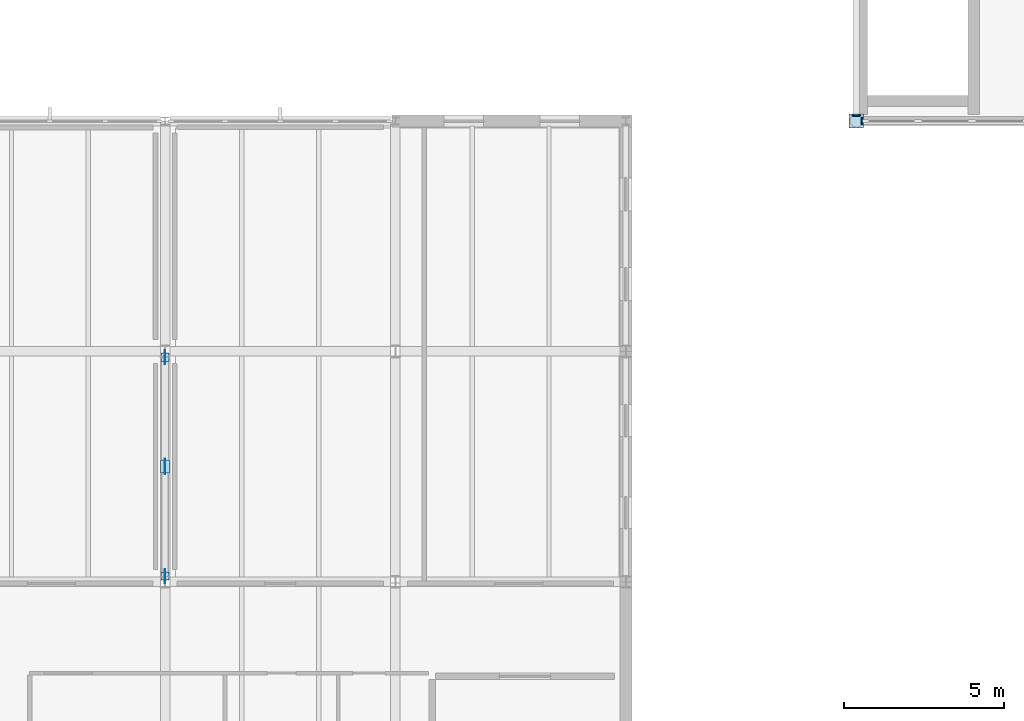
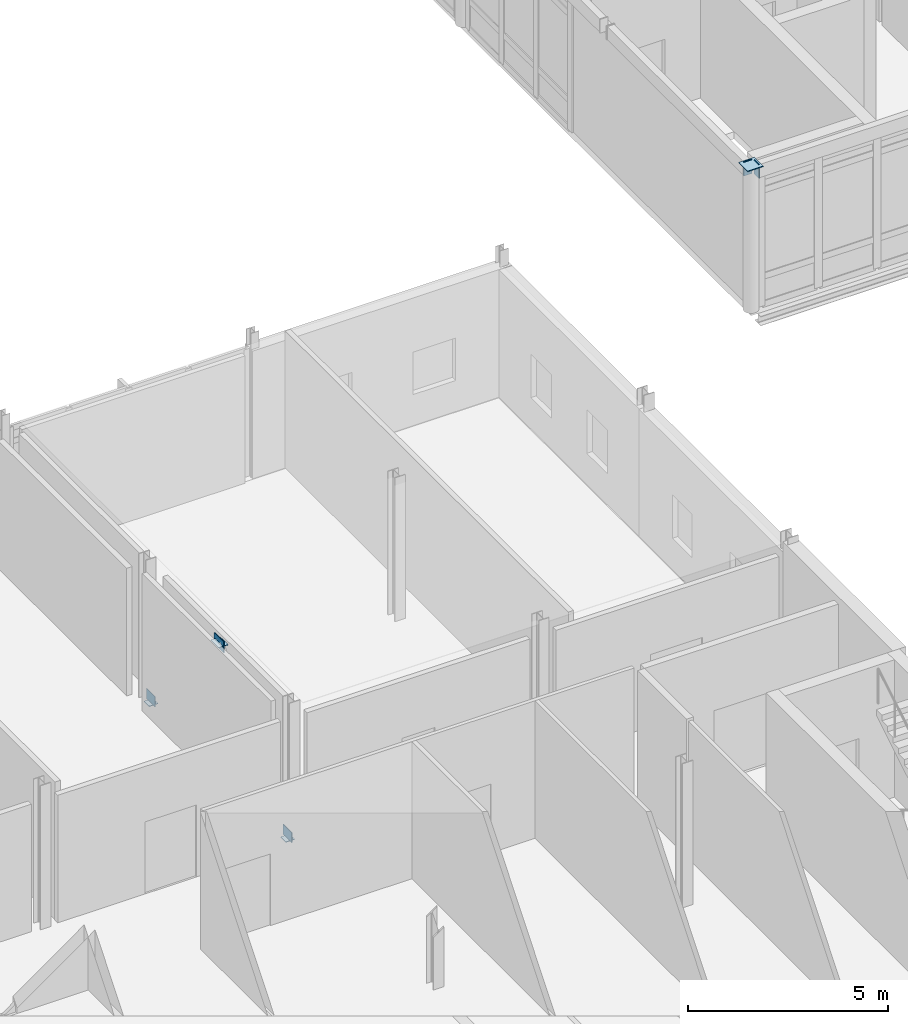
# One storey, part 44 of 72: 9 plates.
"""IFC4 building model written with IfcOpenShell, lengths in metres."""

from ifc_helpers import new_model, si_unit, direction, frame, origin, origin_2d, place, context, subcontext, project, spatial, rectangle, extrude, material, layer, layer_set, type_object, element, save


model = new_model("IFC4")

# Units and contexts
model_context = context("Model", 3, precision=1e-05, world=origin(), true_north=direction((0.0, 1.0)))
body_context = subcontext(model_context, "Body", "Model", "MODEL_VIEW")
ifc_project = project(units=[si_unit("LENGTHUNIT", "METRE"), si_unit("AREAUNIT", "SQUARE_METRE"), si_unit("VOLUMEUNIT", "CUBIC_METRE"), si_unit("PLANEANGLEUNIT", "RADIAN"), si_unit("MASSUNIT", "GRAM", prefix="KILO")], contexts=[model_context])

# Site, building, storey
site_placement = place(None, origin())
site = spatial("IfcSite", under=ifc_project, at=site_placement, CompositionType="ELEMENT")
building_placement = place(site_placement, origin())
building = spatial("IfcBuilding", under=site, at=building_placement, Name="Zarrinpeak Specialist Clinic", CompositionType="ELEMENT")
storey_placement = place(building_placement, frame((0.0, 0.0, 9.60009765625)))
storey = spatial("IfcBuildingStorey", under=building, at=storey_placement, Name="L02", CompositionType="ELEMENT", Elevation=9.60009765625)

# Plates
ifc_material = material(Name="Steel S355", Category="steel")
ifc_layer_1 = layer(ifc_material, 0.031982421875)
ifc_layer_set_1 = layer_set([ifc_layer_1], Name="Steel S355")
plate_type_1 = type_object("IfcPlateType", Name="PL-BP450", PredefinedType="SHEET", material=ifc_layer_set_1)
plate_1_placement = place(storey_placement, frame((93.76806640625, 28.800048828125, 4.0), z_axis=(0.0, 0.0, 1.0), x_axis=(1.0, 0.0, 0.0)))
element("IfcPlate", 1, at=plate_1_placement, inside=storey, type_object=plate_type_1, Name="V3 Ring Beam Sealed End-Cap Plate RBCAP-01", PredefinedType="SHEET", context=body_context, shape_type="SweptSolid", body=[
    extrude(rectangle(XDim=0.031982421875, YDim=0.239990234375, at=origin_2d()), origin(), (0.0, 0.0, 1.0), 0.419921875),
])
plate_2_placement = place(storey_placement, frame((93.60009765625, 28.968017578125, 4.0), z_axis=(0.0, 0.0, 1.0), x_axis=(1.0, 0.0, 0.0)))
element("IfcPlate", 2, at=plate_2_placement, inside=storey, type_object=plate_type_1, Name="V3 Ring Beam Sealed End-Cap Plate RBCAP-17", PredefinedType="SHEET", context=body_context, shape_type="SweptSolid", body=[
    extrude(rectangle(XDim=0.239990234375, YDim=0.031982421875, at=origin_2d()), origin(), (0.0, 0.0, 1.0), 0.419921875),
])
ifc_layer_2 = layer(ifc_material, 0.01611328125)
ifc_layer_set_2 = layer_set([ifc_layer_2], Name="Steel S355")
plate_type_2 = type_object("IfcPlateType", Name="PL-CAP219", PredefinedType="SHEET", material=ifc_layer_set_2)
for number, where, z_axis, x_axis, name in (
    (3, (72.0, 14.580078125, 0.000732421875), (0.0, 0.0, 1.0), (1.0, 0.0, 0.0), "V4 L02 Hollow Brace Foot Cap Plate A"),
    (4, (72.0, 21.419921875, 0.000732421875), (0.0, 0.0, 1.0), (1.0, 0.0, 0.0), "V4 L02 Hollow Brace Foot Cap Plate B"),
):
    element("IfcPlate", number, at=place(storey_placement, frame(where, z_axis=z_axis, x_axis=x_axis)), inside=storey, type_object=plate_type_2, Name=name, PredefinedType="SHEET", context=body_context, shape_type="SweptSolid", body=[
        extrude(rectangle(XDim=0.260009765625, YDim=0.260009765625, at=origin_2d()), origin(), (0.0, 0.0, 1.0), 0.01611328125),
    ])
ifc_layer_3 = layer(ifc_material, 0.02197265625)
ifc_layer_set_3 = layer_set([ifc_layer_3], Name="Steel S355")
plate_type_3 = type_object("IfcPlateType", Name="PL-CAP406", PredefinedType="SHEET", material=ifc_layer_set_3)
plate_3_placement = place(storey_placement, frame((93.60009765625, 28.800048828125, 4.39599609375), z_axis=(0.0, 0.0, 1.0), x_axis=(1.0, 0.0, 0.0)))
element("IfcPlate", 5, at=plate_3_placement, inside=storey, type_object=plate_type_3, Name="L02 Hollow Column Top Cap Plate CCAP-T-097", PredefinedType="SHEET", context=body_context, shape_type="SweptSolid", body=[
    extrude(rectangle(XDim=0.449951171875, YDim=0.449951171875, at=origin_2d()), origin(), (0.0, 0.0, 1.0), 0.02197265625),
])
ifc_layer_4 = layer(ifc_material, 0.02001953125)
ifc_layer_set_4 = layer_set([ifc_layer_4], Name="Steel S355")
plate_type_4 = type_object("IfcPlateType", Name="PL-GN01", PredefinedType="SHEET", material=ifc_layer_set_4)
plate_4_placement = place(storey_placement, frame((72.0, 18.0, 3.73974609375), z_axis=(0.0, 0.0, 1.0), x_axis=(1.0, 0.0, 0.0)))
element("IfcPlate", 6, at=plate_4_placement, inside=storey, type_object=plate_type_4, Name="V4 L02 Chevron Gusset Node Plate GN-V4-L02", PredefinedType="SHEET", context=body_context, shape_type="SweptSolid", body=[
    extrude(rectangle(XDim=0.02001953125, YDim=0.47998046875, at=origin_2d()), origin(), (0.0, 0.0, 1.0), 0.340087890625),
])
ifc_layer_5 = layer(ifc_material, 0.01611328125)
ifc_layer_set_5 = layer_set([ifc_layer_5], Name="Steel S355")
plate_type_5 = type_object("IfcPlateType", Name="PL-GN02", PredefinedType="SHEET", material=ifc_layer_set_5)
plate_5_placement = place(storey_placement, frame((72.0, 18.0, 3.907958984375), z_axis=(0.0, 0.0, 1.0), x_axis=(1.0, 0.0, 0.0)))
element("IfcPlate", 7, at=plate_5_placement, inside=storey, type_object=plate_type_5, Name="V4 L02 Chevron Apex Seal Plate GNCAP-V4-L02", PredefinedType="SHEET", context=body_context, shape_type="SweptSolid", body=[
    extrude(rectangle(XDim=0.280029296875, YDim=0.39990234375, at=origin_2d()), origin(), (0.0, 0.0, 1.0), 0.01611328125),
])
ifc_layer_6 = layer(ifc_material, 0.01806640625)
ifc_layer_set_6 = layer_set([ifc_layer_6], Name="Steel S355")
plate_type_6 = type_object("IfcPlateType", Name="PL-GN03", PredefinedType="SHEET", material=ifc_layer_set_6)
for number, where, z_axis, x_axis, name in (
    (8, (72.0, 14.580078125, 0.0048828125), (0.0, 0.0, 1.0), (1.0, 0.0, 0.0), "V4 L02 Brace Foot Gusset Plate GNF-V4-L02-A"),
    (9, (72.0, 21.419921875, 0.0048828125), (0.0, 0.0, 1.0), (1.0, 0.0, 0.0), "V4 L02 Brace Foot Gusset Plate GNF-V4-L02-B"),
):
    element("IfcPlate", number, at=place(storey_placement, frame(where, z_axis=z_axis, x_axis=x_axis)), inside=storey, type_object=plate_type_6, Name=name, PredefinedType="SHEET", context=body_context, shape_type="SweptSolid", body=[
        extrude(rectangle(XDim=0.01806640625, YDim=0.43994140625, at=origin_2d()), origin(), (0.0, 0.0, 1.0), 0.31005859375),
    ])

save(model, "model.ifc")
